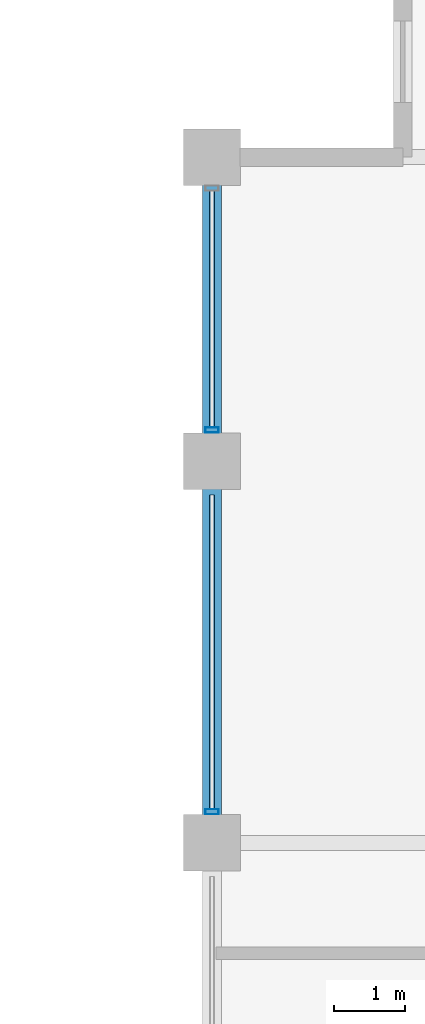
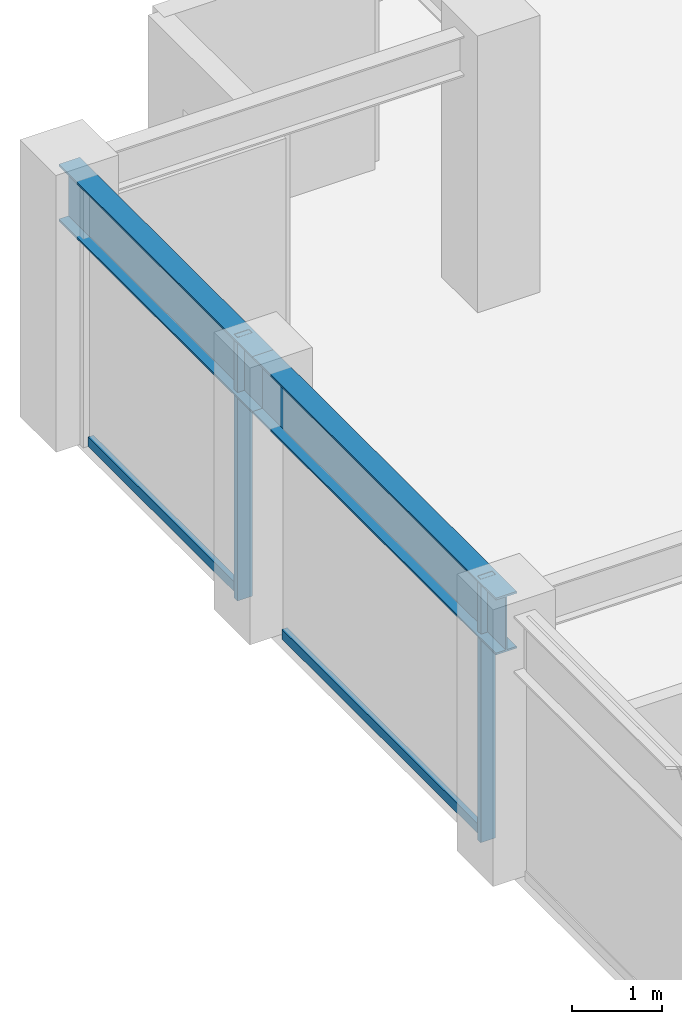
# One storey, part 13 of 28: 4 members, 2 beams, 1 element without a shape of its own.
"""IFC4 building model written with IfcOpenShell, lengths in metres."""

from ifc_helpers import new_model, si_unit, direction, frame, origin, origin_2d, place, context, subcontext, project, spatial, hollow_rectangle, i_section, extrude, material, layer, layer_set, material_profile, profile_set, type_object, element, aggregate, save


model = new_model("IFC4")

# Units and contexts
model_context = context("Model", 3, precision=1e-05, world=origin(), true_north=direction((0.0, 1.0)))
body_context = subcontext(model_context, "Body", "Model", "MODEL_VIEW")
ifc_project = project(units=[si_unit("LENGTHUNIT", "METRE"), si_unit("AREAUNIT", "SQUARE_METRE"), si_unit("VOLUMEUNIT", "CUBIC_METRE"), si_unit("PLANEANGLEUNIT", "RADIAN"), si_unit("MASSUNIT", "GRAM", prefix="KILO")], contexts=[model_context])

# Site, building, storey
site_placement = place(None, origin())
site = spatial("IfcSite", under=ifc_project, at=site_placement, CompositionType="ELEMENT")
building_placement = place(site_placement, origin())
building = spatial("IfcBuilding", under=site, at=building_placement, Name="Surkhivell Harbour Commons", CompositionType="ELEMENT")
storey_placement = place(building_placement, frame((0.0, 0.0, 238.5)))
storey = spatial("IfcBuildingStorey", under=building, at=storey_placement, Name="L62", CompositionType="ELEMENT", Elevation=238.5)

# Beams
ifc_material_1 = material(Name="Steel S355", Category="steel")
ifc_material_profile_1 = material_profile(ifc_material_1, i_section(OverallWidth=0.26806640625, OverallDepth=0.77001953125, WebThickness=0.015625, FlangeThickness=0.025390625, at=origin_2d()), Name="UB762x267x197")
ifc_profile_set_1 = profile_set([ifc_material_profile_1], Name="Steel S355")
beam_type = type_object("IfcBeamType", Name="BM-SPN-762", PredefinedType="SPANDREL", material=ifc_profile_set_1)
beam_1_placement = place(storey_placement, frame((-27.0, 10.800048828125, 3.18505859375), z_axis=(0.0, 1.0, 0.0), x_axis=(-1.0, 0.0, 0.0)))
element("IfcBeam", 1, at=beam_1_placement, inside=storey, type_object=beam_type, Name="L62 Tube Spandrel (-27.0,10.8)", PredefinedType="SPANDREL", context=body_context, shape_type="SweptSolid", body=[
    extrude(i_section(OverallWidth=0.26806640625, OverallDepth=0.77001953125, WebThickness=0.015625, FlangeThickness=0.025390625, at=origin_2d()), origin(), (0.0, 0.0, 1.0), 5.39990234375),
])
beam_2_placement = place(storey_placement, frame((-27.0, 16.199951171875, 3.18505859375), z_axis=(0.0, 1.0, 0.0), x_axis=(-1.0, 0.0, 0.0)))
element("IfcBeam", 2, at=beam_2_placement, inside=storey, type_object=beam_type, Name="L62 Tube Spandrel (-27.0,16.2)", PredefinedType="SPANDREL", context=body_context, shape_type="SweptSolid", body=[
    extrude(i_section(OverallWidth=0.26806640625, OverallDepth=0.77001953125, WebThickness=0.015625, FlangeThickness=0.025390625, at=origin_2d()), origin(), (0.0, 0.0, 1.0), 4.300048828125),
])

# Curtain wall, members
ifc_material_2 = material(Name="Anodised pale-metal aluminium and insulated glazing", Category="aluminium")
ifc_layer = layer(ifc_material_2, 0.18994140625)
ifc_layer_set = layer_set([ifc_layer], Name="Anodised pale-metal aluminium and insulated glazing")
curtain_wall_type = type_object("IfcCurtainWallType", Name="CW-SYS-Z3", PredefinedType="NOTDEFINED", material=ifc_layer_set)
curtain_wall_placement = place(storey_placement, origin())
curtain_wall = element("IfcCurtainWall", 3, at=curtain_wall_placement, inside=storey, type_object=curtain_wall_type, Name="L62 Curtain Wall CW-L62-E12R2", PredefinedType="NOTDEFINED")
ifc_material_3 = material(Name="Anodised pale-metal aluminium alloy 6063-T6", Category="aluminium")
ifc_material_profile_2 = material_profile(ifc_material_3, hollow_rectangle(XDim=0.074951171875, YDim=0.18994140625, WallThickness=0.00390625, at=origin_2d()), Name="ALU-MULL-75x190")
ifc_profile_set_2 = profile_set([ifc_material_profile_2], Name="Anodised pale-metal aluminium alloy 6063-T6")
member_type_1 = type_object("IfcMemberType", Name="CWM-190", PredefinedType="MULLION", material=ifc_profile_set_2)
member_1_placement = place(storey_placement, frame((-27.0, 11.239501953125, 0.0), z_axis=(0.0, 0.0, 1.0), x_axis=(0.0, 1.0, 0.0)))
member_1 = element("IfcMember", 4, at=member_1_placement, type_object=member_type_1, Name="CW-Z3 mullion 2", PredefinedType="MULLION", context=body_context, shape_type="SweptSolid", body=[
    extrude(hollow_rectangle(XDim=0.074951171875, YDim=0.18994140625, WallThickness=0.00390625, at=origin_2d()), origin(), (0.0, 0.0, 1.0), 3.570068359375),
])
member_2_placement = place(storey_placement, frame((-27.0, 16.639404296875, 0.0), z_axis=(0.0, 0.0, 1.0), x_axis=(0.0, 1.0, 0.0)))
member_2 = element("IfcMember", 5, at=member_2_placement, type_object=member_type_1, Name="CW-Z3 mullion 3", PredefinedType="MULLION", context=body_context, shape_type="SweptSolid", body=[
    extrude(hollow_rectangle(XDim=0.074951171875, YDim=0.18994140625, WallThickness=0.00390625, at=origin_2d()), origin(), (0.0, 0.0, 1.0), 3.570068359375),
])
ifc_material_4 = material(Name="Champagne anodised aluminium alloy 6063-T6", Category="aluminium")
ifc_material_profile_3 = material_profile(ifc_material_4, hollow_rectangle(XDim=0.070068359375, YDim=0.1298828125, WallThickness=0.00341796875, at=origin_2d()), Name="ALU-TRAN-70x130")
ifc_profile_set_3 = profile_set([ifc_material_profile_3], Name="Champagne anodised aluminium alloy 6063-T6")
member_type_2 = type_object("IfcMemberType", Name="CWT-130", PredefinedType="USERDEFINED", material=ifc_profile_set_3)
member_3_placement = place(storey_placement, frame((-27.0, 11.277099609375, 0.06494140625), z_axis=(0.0, 1.0, 0.0), x_axis=(-1.0, 0.0, 0.0)))
member_3 = element("IfcMember", 6, at=member_3_placement, type_object=member_type_2, Name="CW-Z3 transom 2.1", ObjectType="TRANSOM", PredefinedType="USERDEFINED", context=body_context, shape_type="SweptSolid", body=[
    extrude(hollow_rectangle(XDim=0.070068359375, YDim=0.1298828125, WallThickness=0.00341796875, at=origin_2d()), origin(), (0.0, 0.0, 1.0), 4.44580078125),
])
member_4_placement = place(storey_placement, frame((-27.0, 16.677001953125, 0.06494140625), z_axis=(0.0, 1.0, 0.0), x_axis=(-1.0, 0.0, 0.0)))
member_4 = element("IfcMember", 7, at=member_4_placement, type_object=member_type_2, Name="CW-Z3 transom 3.1", ObjectType="TRANSOM", PredefinedType="USERDEFINED", context=body_context, shape_type="SweptSolid", body=[
    extrude(hollow_rectangle(XDim=0.070068359375, YDim=0.1298828125, WallThickness=0.00341796875, at=origin_2d()), origin(), (0.0, 0.0, 1.0), 3.345947265625),
])
aggregate(curtain_wall, [member_1, member_3, member_2, member_4])

save(model, "model.ifc")
